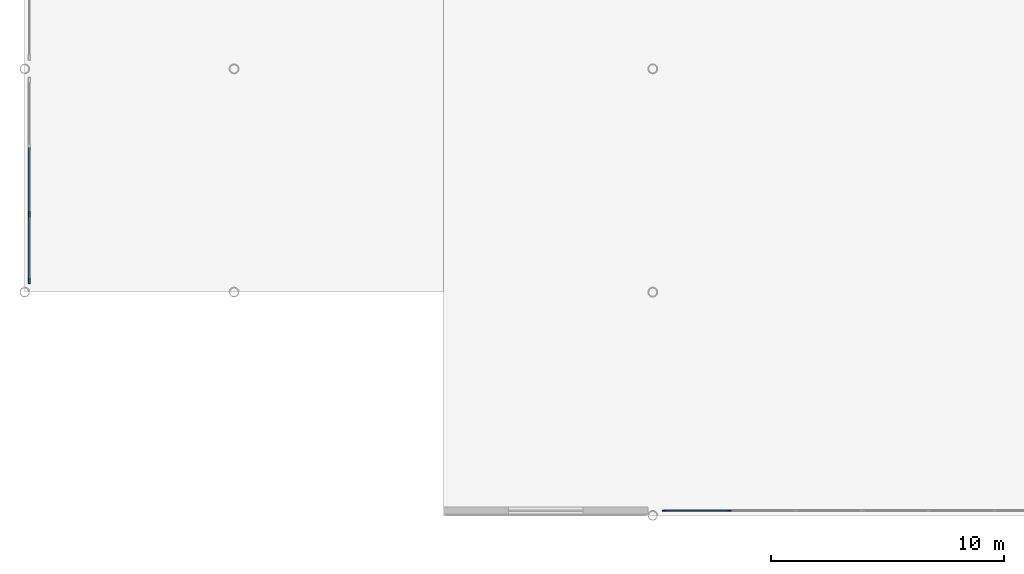
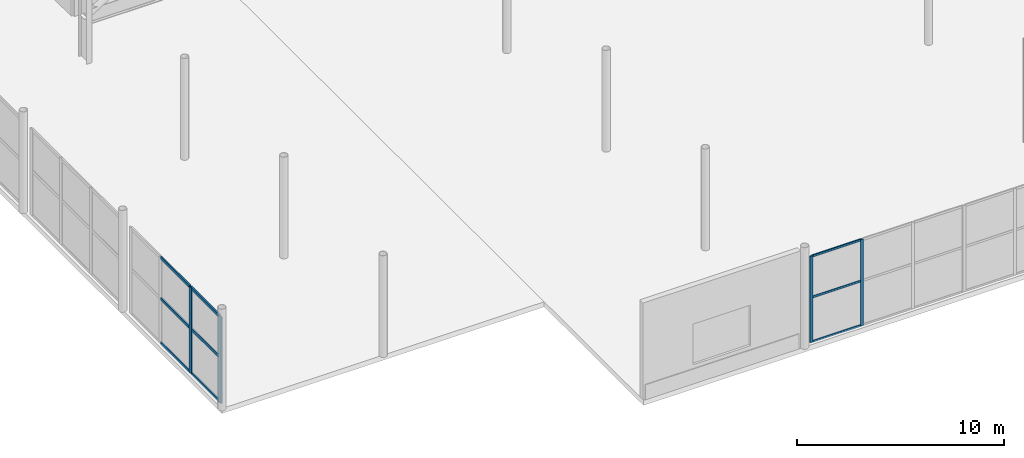
# One storey, part 25 of 113: 13 members, 2 elements without a shape of their own.
"""IFC4 building model written with IfcOpenShell, lengths in metres."""

from ifc_helpers import new_model, si_unit, direction, frame, origin, origin_2d, place, context, subcontext, project, spatial, rectangle, extrude, material, layer, layer_set, material_profile, profile_set, type_object, element, aggregate, save


model = new_model("IFC4")

# Units and contexts
model_context = context("Model", 3, precision=1e-05, world=origin(), true_north=direction((0.0, 1.0)))
body_context = subcontext(model_context, "Body", "Model", "MODEL_VIEW")
ifc_project = project(units=[si_unit("LENGTHUNIT", "METRE"), si_unit("AREAUNIT", "SQUARE_METRE"), si_unit("VOLUMEUNIT", "CUBIC_METRE"), si_unit("PLANEANGLEUNIT", "RADIAN"), si_unit("MASSUNIT", "GRAM", prefix="KILO")], contexts=[model_context])

# Site, building, storey
site_placement = place(None, origin())
site = spatial("IfcSite", under=ifc_project, at=site_placement, CompositionType="ELEMENT")
building_placement = place(site_placement, origin())
building = spatial("IfcBuilding", under=site, at=building_placement, Name="Myrtia Square Station", CompositionType="ELEMENT")
storey_placement = place(building_placement, origin())
storey = spatial("IfcBuildingStorey", under=building, at=storey_placement, Name="L00", CompositionType="ELEMENT", Elevation=0.0)

# Curtain wall, members
ifc_material = material(Name="Dark bronze anodised aluminium", Category="aluminium")
ifc_layer_1 = layer(ifc_material, 0.159912109375, Name="Dark bronze anodised aluminium")
ifc_layer_set_1 = layer_set([ifc_layer_1], Name="Dark bronze anodised aluminium")
curtain_wall_type_1 = type_object("IfcCurtainWallType", Name="CW-TYPE-23-855x510", PredefinedType="USERDEFINED", material=ifc_layer_set_1)
curtain_wall_1_placement = place(storey_placement, origin())
curtain_wall_1 = element("IfcCurtainWall", 1, at=curtain_wall_1_placement, inside=storey, type_object=curtain_wall_type_1, Name="Concourse curtain wall CW-L00-082", ObjectType="CONCOURSE CURTAIN WALL", PredefinedType="USERDEFINED")
ifc_material_profile_1 = material_profile(ifc_material, rectangle(XDim=0.06005859375, YDim=0.159912109375, at=origin_2d()), Name="ALU-M 60x160")
ifc_profile_set_1 = profile_set([ifc_material_profile_1], Name="Dark bronze anodised aluminium")
member_type_1 = type_object("IfcMemberType", Name="CWM-60x160", PredefinedType="MULLION", material=ifc_profile_set_1)
member_1_placement = place(storey_placement, frame((27.47998046875, 0.199951171875, 0.0), z_axis=(0.0, 0.0, 1.0), x_axis=(0.0, 1.0, 0.0)))
member_1 = element("IfcMember", 2, at=member_1_placement, type_object=member_type_1, Name="CW-082 mullion 1", PredefinedType="MULLION", context=body_context, shape_type="SweptSolid", body=[
    extrude(rectangle(XDim=0.06005859375, YDim=0.159912109375, at=origin_2d()), origin(), (0.0, 0.0, 1.0), 5.10009765625),
])
member_2_placement = place(storey_placement, frame((30.300048828125, 0.199951171875, 0.0), z_axis=(0.0, 0.0, 1.0), x_axis=(0.0, 1.0, 0.0)))
member_2 = element("IfcMember", 3, at=member_2_placement, type_object=member_type_1, Name="CW-082 mullion 2", PredefinedType="MULLION", context=body_context, shape_type="SweptSolid", body=[
    extrude(rectangle(XDim=0.06005859375, YDim=0.159912109375, at=origin_2d()), origin(), (0.0, 0.0, 1.0), 5.10009765625),
])

ifc_layer_2 = layer(ifc_material, 0.159912109375, Name="Dark bronze anodised aluminium")
ifc_layer_set_2 = layer_set([ifc_layer_2], Name="Dark bronze anodised aluminium")
curtain_wall_type_2 = type_object("IfcCurtainWallType", Name="CW-TYPE-22-870x510", PredefinedType="USERDEFINED", material=ifc_layer_set_2)
curtain_wall_2_placement = place(storey_placement, origin())
curtain_wall_2 = element("IfcCurtainWall", 4, at=curtain_wall_2_placement, inside=storey, type_object=curtain_wall_type_2, Name="Concourse curtain wall CW-L00-073", ObjectType="CONCOURSE CURTAIN WALL", PredefinedType="USERDEFINED")
ifc_material_profile_2 = material_profile(ifc_material, rectangle(XDim=0.074951171875, YDim=0.239990234375, at=origin_2d()), Name="ALU-M 75x240")
ifc_profile_set_2 = profile_set([ifc_material_profile_2], Name="Dark bronze anodised aluminium")
member_type_2 = type_object("IfcMemberType", Name="CWM-75x240", PredefinedType="MULLION", material=ifc_profile_set_2)
member_3_placement = place(storey_placement, frame((0.199951171875, 10.08740234375, 0.0), z_axis=(0.0, 0.0, 1.0), x_axis=(-1.0, 0.0, 0.0)))
member_3 = element("IfcMember", 5, at=member_3_placement, type_object=member_type_2, Name="CW-073 mullion 1", PredefinedType="MULLION", context=body_context, shape_type="SweptSolid", body=[
    extrude(rectangle(XDim=0.074951171875, YDim=0.239990234375, at=origin_2d()), origin(), (0.0, 0.0, 1.0), 5.10009765625),
])
member_4_placement = place(storey_placement, frame((0.199951171875, 12.949951171875, 0.0), z_axis=(0.0, 0.0, 1.0), x_axis=(-1.0, 0.0, 0.0)))
member_4 = element("IfcMember", 6, at=member_4_placement, type_object=member_type_2, Name="CW-073 mullion 2", PredefinedType="MULLION", context=body_context, shape_type="SweptSolid", body=[
    extrude(rectangle(XDim=0.074951171875, YDim=0.239990234375, at=origin_2d()), origin(), (0.0, 0.0, 1.0), 5.10009765625),
])

# Member
ifc_material_profile_3 = material_profile(ifc_material, rectangle(XDim=0.06005859375, YDim=0.1201171875, at=origin_2d()), Name="ALU-T 60x120")
ifc_profile_set_3 = profile_set([ifc_material_profile_3], Name="Dark bronze anodised aluminium")
member_type_3 = type_object("IfcMemberType", Name="CWT-60x120", PredefinedType="USERDEFINED", material=ifc_profile_set_3)
member_5_placement = place(storey_placement, frame((27.510009765625, 0.199951171875, 0.030029296875), z_axis=(1.0, 0.0, 0.0), x_axis=(0.0, 1.0, 0.0)))
member_5 = element("IfcMember", 7, at=member_5_placement, type_object=member_type_3, Name="CW-082 transom 1.1", ObjectType="TRANSOM", PredefinedType="USERDEFINED", context=body_context, shape_type="SweptSolid", body=[
    extrude(rectangle(XDim=0.06005859375, YDim=0.1201171875, at=origin_2d()), origin(), (0.0, 0.0, 1.0), 2.760009765625),
])

member_6_placement = place(storey_placement, frame((27.510009765625, 0.199951171875, 2.652099609375), z_axis=(1.0, 0.0, 0.0), x_axis=(0.0, 1.0, 0.0)))
member_6 = element("IfcMember", 8, at=member_6_placement, type_object=member_type_3, Name="CW-082 transom 1.2", ObjectType="TRANSOM", PredefinedType="USERDEFINED", context=body_context, shape_type="SweptSolid", body=[
    extrude(rectangle(XDim=0.06005859375, YDim=0.1201171875, at=origin_2d()), origin(), (0.0, 0.0, 1.0), 2.760009765625),
])

member_7_placement = place(storey_placement, frame((27.510009765625, 0.199951171875, 5.070068359375), z_axis=(1.0, 0.0, 0.0), x_axis=(0.0, 1.0, 0.0)))
member_7 = element("IfcMember", 9, at=member_7_placement, type_object=member_type_3, Name="CW-082 transom 1.3", ObjectType="TRANSOM", PredefinedType="USERDEFINED", context=body_context, shape_type="SweptSolid", body=[
    extrude(rectangle(XDim=0.06005859375, YDim=0.1201171875, at=origin_2d()), origin(), (0.0, 0.0, 1.0), 2.760009765625),
])

aggregate(curtain_wall_1, [member_1, member_2, member_5, member_6, member_7])

ifc_material_profile_4 = material_profile(ifc_material, rectangle(XDim=0.074951171875, YDim=0.179931640625, at=origin_2d()), Name="ALU-T 75x180")
ifc_profile_set_4 = profile_set([ifc_material_profile_4], Name="Dark bronze anodised aluminium")
member_type_4 = type_object("IfcMemberType", Name="CWT-75x180", PredefinedType="USERDEFINED", material=ifc_profile_set_4)
member_8_placement = place(storey_placement, frame((0.199951171875, 10.125, 0.03759765625), z_axis=(0.0, 1.0, 0.0), x_axis=(-1.0, 0.0, 0.0)))
member_8 = element("IfcMember", 10, at=member_8_placement, type_object=member_type_4, Name="CW-073 transom 1.1", ObjectType="TRANSOM", PredefinedType="USERDEFINED", context=body_context, shape_type="SweptSolid", body=[
    extrude(rectangle(XDim=0.074951171875, YDim=0.179931640625, at=origin_2d()), origin(), (0.0, 0.0, 1.0), 2.78759765625),
])

member_9_placement = place(storey_placement, frame((0.199951171875, 10.125, 2.652099609375), z_axis=(0.0, 1.0, 0.0), x_axis=(-1.0, 0.0, 0.0)))
member_9 = element("IfcMember", 11, at=member_9_placement, type_object=member_type_4, Name="CW-073 transom 1.2", ObjectType="TRANSOM", PredefinedType="USERDEFINED", context=body_context, shape_type="SweptSolid", body=[
    extrude(rectangle(XDim=0.074951171875, YDim=0.179931640625, at=origin_2d()), origin(), (0.0, 0.0, 1.0), 2.78759765625),
])

member_10_placement = place(storey_placement, frame((0.199951171875, 10.125, 5.0625), z_axis=(0.0, 1.0, 0.0), x_axis=(-1.0, 0.0, 0.0)))
member_10 = element("IfcMember", 12, at=member_10_placement, type_object=member_type_4, Name="CW-073 transom 1.3", ObjectType="TRANSOM", PredefinedType="USERDEFINED", context=body_context, shape_type="SweptSolid", body=[
    extrude(rectangle(XDim=0.074951171875, YDim=0.179931640625, at=origin_2d()), origin(), (0.0, 0.0, 1.0), 2.78759765625),
])

member_11_placement = place(storey_placement, frame((0.199951171875, 12.987548828125, 0.03759765625), z_axis=(0.0, 1.0, 0.0), x_axis=(-1.0, 0.0, 0.0)))
member_11 = element("IfcMember", 13, at=member_11_placement, type_object=member_type_4, Name="CW-073 transom 2.1", ObjectType="TRANSOM", PredefinedType="USERDEFINED", context=body_context, shape_type="SweptSolid", body=[
    extrude(rectangle(XDim=0.074951171875, YDim=0.179931640625, at=origin_2d()), origin(), (0.0, 0.0, 1.0), 2.824951171875),
])

member_12_placement = place(storey_placement, frame((0.199951171875, 12.987548828125, 2.652099609375), z_axis=(0.0, 1.0, 0.0), x_axis=(-1.0, 0.0, 0.0)))
member_12 = element("IfcMember", 14, at=member_12_placement, type_object=member_type_4, Name="CW-073 transom 2.2", ObjectType="TRANSOM", PredefinedType="USERDEFINED", context=body_context, shape_type="SweptSolid", body=[
    extrude(rectangle(XDim=0.074951171875, YDim=0.179931640625, at=origin_2d()), origin(), (0.0, 0.0, 1.0), 2.824951171875),
])

member_13_placement = place(storey_placement, frame((0.199951171875, 12.987548828125, 5.0625), z_axis=(0.0, 1.0, 0.0), x_axis=(-1.0, 0.0, 0.0)))
member_13 = element("IfcMember", 15, at=member_13_placement, type_object=member_type_4, Name="CW-073 transom 2.3", ObjectType="TRANSOM", PredefinedType="USERDEFINED", context=body_context, shape_type="SweptSolid", body=[
    extrude(rectangle(XDim=0.074951171875, YDim=0.179931640625, at=origin_2d()), origin(), (0.0, 0.0, 1.0), 2.824951171875),
])

aggregate(curtain_wall_2, [member_3, member_4, member_8, member_9, member_10, member_11, member_12, member_13])

save(model, "model.ifc")
